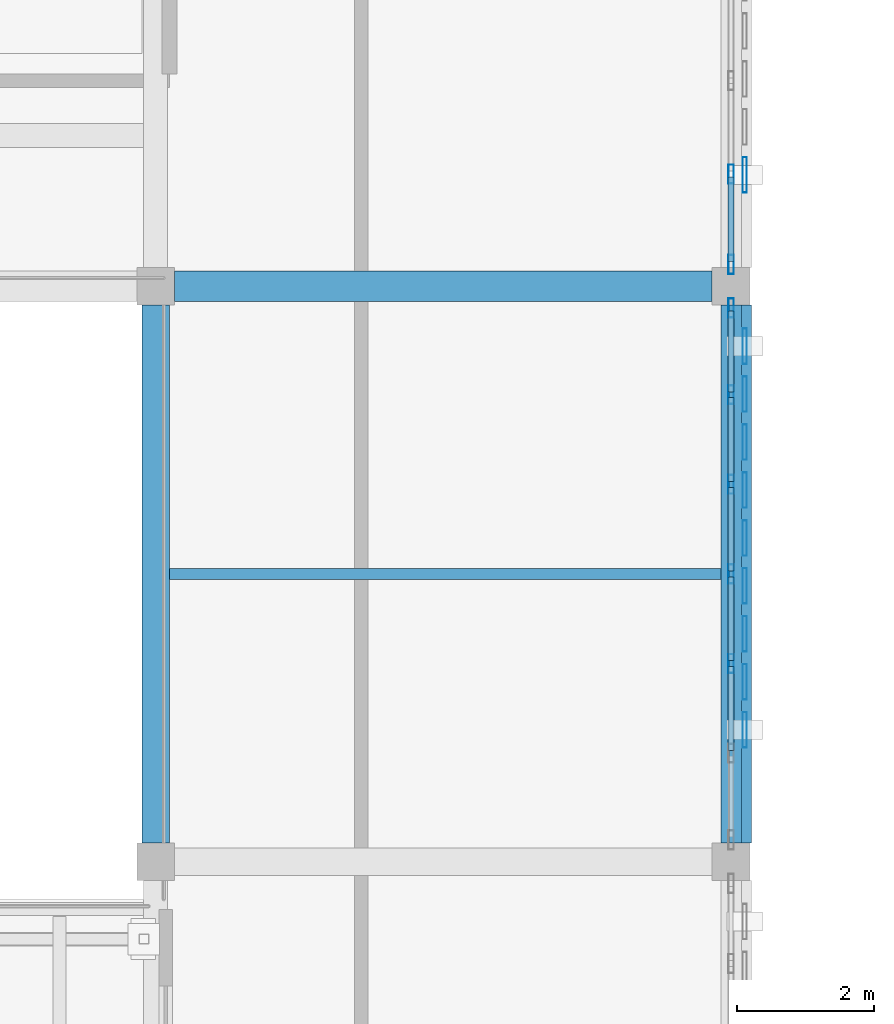
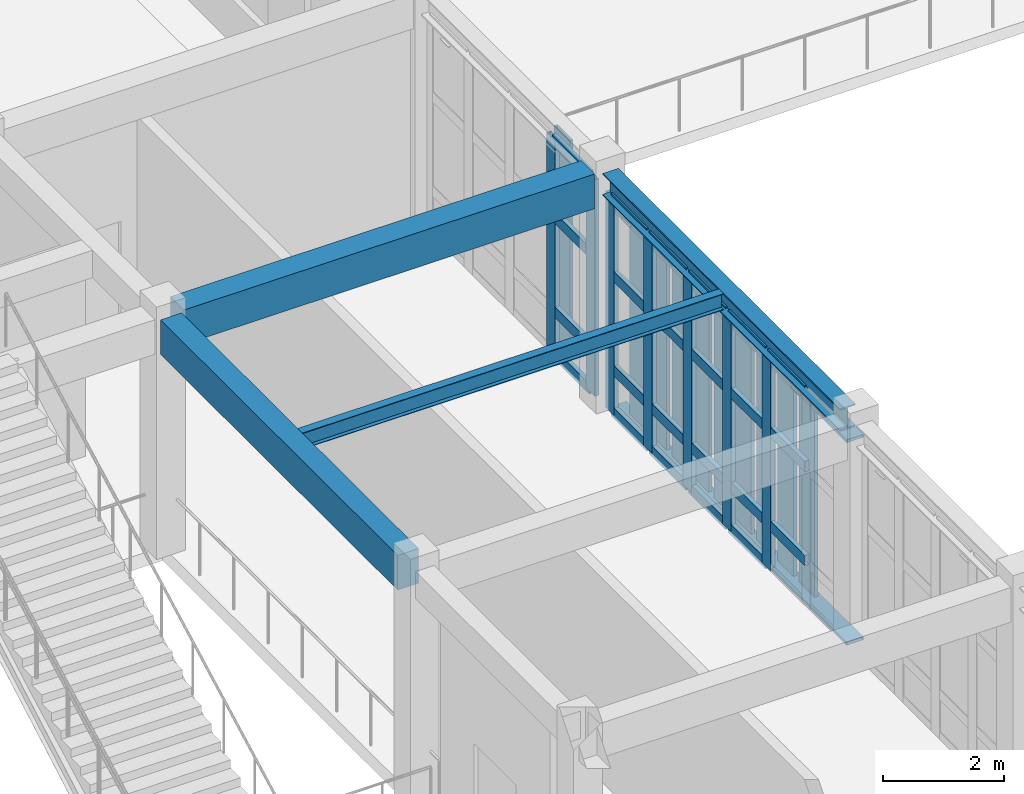
# One storey, part 36 of 93: 42 members, 4 beams, 2 elements without a shape of their own.
"""IFC4 building model written with IfcOpenShell, lengths in metres."""

from ifc_helpers import new_model, si_unit, direction, frame, origin, origin_2d, place, context, subcontext, project, spatial, rectangle, hollow_rectangle, i_section, extrude, material, layer, layer_set, material_profile, profile_set, type_object, element, aggregate, save


model = new_model("IFC4")

# Units and contexts
model_context = context("Model", 3, precision=1e-05, world=origin(), true_north=direction((0.0, 1.0)))
body_context = subcontext(model_context, "Body", "Model", "MODEL_VIEW")
ifc_project = project(units=[si_unit("LENGTHUNIT", "METRE"), si_unit("AREAUNIT", "SQUARE_METRE"), si_unit("VOLUMEUNIT", "CUBIC_METRE"), si_unit("PLANEANGLEUNIT", "RADIAN"), si_unit("MASSUNIT", "GRAM", prefix="KILO")], contexts=[model_context])

# Site, building, storey
site_placement = place(None, origin())
site = spatial("IfcSite", under=ifc_project, at=site_placement, CompositionType="ELEMENT")
building_placement = place(site_placement, origin())
building = spatial("IfcBuilding", under=site, at=building_placement, Name="Krzemoval Escarpment Law Courts", CompositionType="ELEMENT")
storey_placement = place(building_placement, frame((0.0, 0.0, 10.199951171875)))
storey = spatial("IfcBuildingStorey", under=building, at=storey_placement, Name="L02", CompositionType="ELEMENT", Elevation=10.199951171875)

# Beams
ifc_material_1 = material(Name="Concrete C40/50", Category="concrete")
ifc_material_profile_1 = material_profile(ifc_material_1, rectangle(XDim=0.39990234375, YDim=0.699951171875, at=origin_2d()), Name="RCB 400x700")
ifc_profile_set_1 = profile_set([ifc_material_profile_1], Name="Concrete C40/50")
beam_type_1 = type_object("IfcBeamType", Name="BM-RC-400x700", PredefinedType="BEAM", material=ifc_profile_set_1)
beam_1_placement = place(storey_placement, frame((33.60009765625, 85.47509765625, 4.469970703125), z_axis=(0.0, 1.0, 0.0), x_axis=(-1.0, 0.0, 0.0)))
element("IfcBeam", 1, at=beam_1_placement, inside=storey, type_object=beam_type_1, Name="Beam FG-L02-1901", PredefinedType="BEAM", context=body_context, shape_type="SweptSolid", body=[
    extrude(rectangle(XDim=0.39990234375, YDim=0.699951171875, at=origin_2d()), origin(), (0.0, 0.0, 1.0), 7.849853515625),
])
ifc_material_2 = material(Name="Concrete C40/50", Category="concrete")
ifc_material_profile_2 = material_profile(ifc_material_2, rectangle(XDim=0.449951171875, YDim=0.699951171875, at=origin_2d()), Name="RCB 450x700")
ifc_profile_set_2 = profile_set([ifc_material_profile_2], Name="Concrete C40/50")
beam_type_2 = type_object("IfcBeamType", Name="BM-RC-450x700", PredefinedType="BEAM", material=ifc_profile_set_2)
beam_2_placement = place(storey_placement, frame((33.875, 93.60009765625, 4.469970703125), z_axis=(1.0, 0.0, 0.0), x_axis=(0.0, 1.0, 0.0)))
element("IfcBeam", 2, at=beam_2_placement, inside=storey, type_object=beam_type_2, Name="Beam FG-L02-1811", PredefinedType="BEAM", context=body_context, shape_type="SweptSolid", body=[
    extrude(rectangle(XDim=0.449951171875, YDim=0.699951171875, at=origin_2d()), origin(), (0.0, 0.0, 1.0), 7.85009765625),
])

# Curtain wall, members
ifc_material_3 = material(Name="Aluminium 6063-T6", Category="aluminium")
ifc_layer = layer(ifc_material_3, 0.280029296875)
ifc_layer_set = layer_set([ifc_layer], Name="Aluminium 6063-T6")
curtain_wall_type = type_object("IfcCurtainWallType", Name="CW-HALL-5100", PredefinedType="USERDEFINED", material=ifc_layer_set)
curtain_wall_1_placement = place(storey_placement, origin())
curtain_wall_1 = element("IfcCurtainWall", 3, at=curtain_wall_1_placement, inside=storey, type_object=curtain_wall_type, Name="Unitised Curtain Wall FCW-L02-073", ObjectType="UNITISED_CURTAIN_WALL", PredefinedType="USERDEFINED")
ifc_material_4 = material(Name="Aluminium 6063-T6", Category="aluminium")
ifc_material_profile_3 = material_profile(ifc_material_4, hollow_rectangle(XDim=0.0849609375, YDim=0.280029296875, WallThickness=0.005615234375, at=origin_2d()), Name="ALU M85x280")
ifc_profile_set_3 = profile_set([ifc_material_profile_3], Name="Aluminium 6063-T6")
member_type_1 = type_object("IfcMemberType", Name="CWM-85x280", PredefinedType="MULLION", material=ifc_profile_set_3)
member_1_placement = place(storey_placement, frame((42.0, 95.237548828125, 0.0), z_axis=(0.0, 0.0, 1.0), x_axis=(1.0, 0.0, 0.0)))
member_1 = element("IfcMember", 4, at=member_1_placement, type_object=member_type_1, Name="FCW-L02-073 mullion 4", PredefinedType="MULLION", context=body_context, shape_type="SweptSolid", body=[
    extrude(hollow_rectangle(XDim=0.0849609375, YDim=0.280029296875, WallThickness=0.005615234375, at=origin_2d()), origin(), (0.0, 0.0, 1.0), 4.3701171875),
])
member_2_placement = place(storey_placement, frame((42.0, 93.91748046875, 0.0), z_axis=(0.0, 0.0, 1.0), x_axis=(1.0, 0.0, 0.0)))
member_2 = element("IfcMember", 5, at=member_2_placement, type_object=member_type_1, Name="FCW-L02-073 mullion 5", PredefinedType="MULLION", context=body_context, shape_type="SweptSolid", body=[
    extrude(hollow_rectangle(XDim=0.0849609375, YDim=0.280029296875, WallThickness=0.005615234375, at=origin_2d()), origin(), (0.0, 0.0, 1.0), 4.3701171875),
])

curtain_wall_2_placement = place(storey_placement, origin())
curtain_wall_2 = element("IfcCurtainWall", 6, at=curtain_wall_2_placement, inside=storey, type_object=curtain_wall_type, Name="Unitised Curtain Wall FCW-L02-074", ObjectType="UNITISED_CURTAIN_WALL", PredefinedType="USERDEFINED")
member_3_placement = place(storey_placement, frame((42.0, 93.282470703125, 0.0), z_axis=(0.0, 0.0, 1.0), x_axis=(1.0, 0.0, 0.0)))
member_3 = element("IfcMember", 7, at=member_3_placement, type_object=member_type_1, Name="FCW-L02-074 mullion 1", PredefinedType="MULLION", context=body_context, shape_type="SweptSolid", body=[
    extrude(hollow_rectangle(XDim=0.0849609375, YDim=0.280029296875, WallThickness=0.005615234375, at=origin_2d()), origin(), (0.0, 0.0, 1.0), 4.3701171875),
])
member_4_placement = place(storey_placement, frame((42.0, 92.0166015625, 0.0), z_axis=(0.0, 0.0, 1.0), x_axis=(1.0, 0.0, 0.0)))
member_4 = element("IfcMember", 8, at=member_4_placement, type_object=member_type_1, Name="FCW-L02-074 mullion 2", PredefinedType="MULLION", context=body_context, shape_type="SweptSolid", body=[
    extrude(hollow_rectangle(XDim=0.0849609375, YDim=0.280029296875, WallThickness=0.005615234375, at=origin_2d()), origin(), (0.0, 0.0, 1.0), 4.3701171875),
])
member_5_placement = place(storey_placement, frame((42.0, 90.708251953125, 0.0), z_axis=(0.0, 0.0, 1.0), x_axis=(1.0, 0.0, 0.0)))
member_5 = element("IfcMember", 9, at=member_5_placement, type_object=member_type_1, Name="FCW-L02-074 mullion 3", PredefinedType="MULLION", context=body_context, shape_type="SweptSolid", body=[
    extrude(hollow_rectangle(XDim=0.0849609375, YDim=0.280029296875, WallThickness=0.005615234375, at=origin_2d()), origin(), (0.0, 0.0, 1.0), 4.3701171875),
])
member_6_placement = place(storey_placement, frame((42.0, 89.39990234375, 0.0), z_axis=(0.0, 0.0, 1.0), x_axis=(1.0, 0.0, 0.0)))
member_6 = element("IfcMember", 10, at=member_6_placement, type_object=member_type_1, Name="FCW-L02-074 mullion 4", PredefinedType="MULLION", context=body_context, shape_type="SweptSolid", body=[
    extrude(hollow_rectangle(XDim=0.0849609375, YDim=0.280029296875, WallThickness=0.005615234375, at=origin_2d()), origin(), (0.0, 0.0, 1.0), 4.3701171875),
])
member_7_placement = place(storey_placement, frame((42.0, 88.091552734375, 0.0), z_axis=(0.0, 0.0, 1.0), x_axis=(1.0, 0.0, 0.0)))
member_7 = element("IfcMember", 11, at=member_7_placement, type_object=member_type_1, Name="FCW-L02-074 mullion 5", PredefinedType="MULLION", context=body_context, shape_type="SweptSolid", body=[
    extrude(hollow_rectangle(XDim=0.0849609375, YDim=0.280029296875, WallThickness=0.005615234375, at=origin_2d()), origin(), (0.0, 0.0, 1.0), 4.3701171875),
])

# Member
ifc_material_5 = material(Name="Aluminium 6063-T6", Category="aluminium")
ifc_material_profile_4 = material_profile(ifc_material_5, hollow_rectangle(XDim=0.0849609375, YDim=0.2099609375, WallThickness=0.005615234375, at=origin_2d()), Name="ALU T85x210")
ifc_profile_set_4 = profile_set([ifc_material_profile_4], Name="Aluminium 6063-T6")
member_type_2 = type_object("IfcMemberType", Name="CWT-85x210", PredefinedType="USERDEFINED", material=ifc_profile_set_4)
member_8_placement = place(storey_placement, frame((42.0, 95.195068359375, 0.04248046875), z_axis=(0.0, -1.0, 0.0), x_axis=(1.0, 0.0, 0.0)))
member_8 = element("IfcMember", 12, at=member_8_placement, type_object=member_type_2, Name="FCW-L02-073 transom 4.1", ObjectType="TRANSOM", PredefinedType="USERDEFINED", context=body_context, shape_type="SweptSolid", body=[
    extrude(hollow_rectangle(XDim=0.0849609375, YDim=0.2099609375, WallThickness=0.005615234375, at=origin_2d()), origin(), (0.0, 0.0, 1.0), 1.235107421875),
])

member_9_placement = place(storey_placement, frame((42.0, 95.195068359375, 0.900146484375), z_axis=(0.0, -1.0, 0.0), x_axis=(1.0, 0.0, 0.0)))
member_9 = element("IfcMember", 13, at=member_9_placement, type_object=member_type_2, Name="FCW-L02-073 transom 4.2", ObjectType="TRANSOM", PredefinedType="USERDEFINED", context=body_context, shape_type="SweptSolid", body=[
    extrude(hollow_rectangle(XDim=0.0849609375, YDim=0.2099609375, WallThickness=0.005615234375, at=origin_2d()), origin(), (0.0, 0.0, 1.0), 1.235107421875),
])

member_10_placement = place(storey_placement, frame((42.0, 95.195068359375, 2.800048828125), z_axis=(0.0, -1.0, 0.0), x_axis=(1.0, 0.0, 0.0)))
member_10 = element("IfcMember", 14, at=member_10_placement, type_object=member_type_2, Name="FCW-L02-073 transom 4.3", ObjectType="TRANSOM", PredefinedType="USERDEFINED", context=body_context, shape_type="SweptSolid", body=[
    extrude(hollow_rectangle(XDim=0.0849609375, YDim=0.2099609375, WallThickness=0.005615234375, at=origin_2d()), origin(), (0.0, 0.0, 1.0), 1.235107421875),
])

member_11_placement = place(storey_placement, frame((42.0, 95.195068359375, 4.32763671875), z_axis=(0.0, -1.0, 0.0), x_axis=(1.0, 0.0, 0.0)))
member_11 = element("IfcMember", 15, at=member_11_placement, type_object=member_type_2, Name="FCW-L02-073 transom 4.4", ObjectType="TRANSOM", PredefinedType="USERDEFINED", context=body_context, shape_type="SweptSolid", body=[
    extrude(hollow_rectangle(XDim=0.0849609375, YDim=0.2099609375, WallThickness=0.005615234375, at=origin_2d()), origin(), (0.0, 0.0, 1.0), 1.235107421875),
])

aggregate(curtain_wall_1, [member_1, member_2, member_8, member_9, member_10, member_11])

member_12_placement = place(storey_placement, frame((42.0, 93.239990234375, 0.04248046875), z_axis=(0.0, -1.0, 0.0), x_axis=(1.0, 0.0, 0.0)))
member_12 = element("IfcMember", 16, at=member_12_placement, type_object=member_type_2, Name="FCW-L02-074 transom 1.1", ObjectType="TRANSOM", PredefinedType="USERDEFINED", context=body_context, shape_type="SweptSolid", body=[
    extrude(hollow_rectangle(XDim=0.0849609375, YDim=0.2099609375, WallThickness=0.005615234375, at=origin_2d()), origin(), (0.0, 0.0, 1.0), 1.180908203125),
])

member_13_placement = place(storey_placement, frame((42.0, 93.239990234375, 0.900146484375), z_axis=(0.0, -1.0, 0.0), x_axis=(1.0, 0.0, 0.0)))
member_13 = element("IfcMember", 17, at=member_13_placement, type_object=member_type_2, Name="FCW-L02-074 transom 1.2", ObjectType="TRANSOM", PredefinedType="USERDEFINED", context=body_context, shape_type="SweptSolid", body=[
    extrude(hollow_rectangle(XDim=0.0849609375, YDim=0.2099609375, WallThickness=0.005615234375, at=origin_2d()), origin(), (0.0, 0.0, 1.0), 1.180908203125),
])

member_14_placement = place(storey_placement, frame((42.0, 93.239990234375, 2.800048828125), z_axis=(0.0, -1.0, 0.0), x_axis=(1.0, 0.0, 0.0)))
member_14 = element("IfcMember", 18, at=member_14_placement, type_object=member_type_2, Name="FCW-L02-074 transom 1.3", ObjectType="TRANSOM", PredefinedType="USERDEFINED", context=body_context, shape_type="SweptSolid", body=[
    extrude(hollow_rectangle(XDim=0.0849609375, YDim=0.2099609375, WallThickness=0.005615234375, at=origin_2d()), origin(), (0.0, 0.0, 1.0), 1.180908203125),
])

member_15_placement = place(storey_placement, frame((42.0, 93.239990234375, 4.32763671875), z_axis=(0.0, -1.0, 0.0), x_axis=(1.0, 0.0, 0.0)))
member_15 = element("IfcMember", 19, at=member_15_placement, type_object=member_type_2, Name="FCW-L02-074 transom 1.4", ObjectType="TRANSOM", PredefinedType="USERDEFINED", context=body_context, shape_type="SweptSolid", body=[
    extrude(hollow_rectangle(XDim=0.0849609375, YDim=0.2099609375, WallThickness=0.005615234375, at=origin_2d()), origin(), (0.0, 0.0, 1.0), 1.180908203125),
])

member_16_placement = place(storey_placement, frame((42.0, 91.97412109375, 0.04248046875), z_axis=(0.0, -1.0, 0.0), x_axis=(1.0, 0.0, 0.0)))
member_16 = element("IfcMember", 20, at=member_16_placement, type_object=member_type_2, Name="FCW-L02-074 transom 2.1", ObjectType="TRANSOM", PredefinedType="USERDEFINED", context=body_context, shape_type="SweptSolid", body=[
    extrude(hollow_rectangle(XDim=0.0849609375, YDim=0.2099609375, WallThickness=0.005615234375, at=origin_2d()), origin(), (0.0, 0.0, 1.0), 1.223388671875),
])

member_17_placement = place(storey_placement, frame((42.0, 91.97412109375, 0.900146484375), z_axis=(0.0, -1.0, 0.0), x_axis=(1.0, 0.0, 0.0)))
member_17 = element("IfcMember", 21, at=member_17_placement, type_object=member_type_2, Name="FCW-L02-074 transom 2.2", ObjectType="TRANSOM", PredefinedType="USERDEFINED", context=body_context, shape_type="SweptSolid", body=[
    extrude(hollow_rectangle(XDim=0.0849609375, YDim=0.2099609375, WallThickness=0.005615234375, at=origin_2d()), origin(), (0.0, 0.0, 1.0), 1.223388671875),
])

member_18_placement = place(storey_placement, frame((42.0, 91.97412109375, 2.800048828125), z_axis=(0.0, -1.0, 0.0), x_axis=(1.0, 0.0, 0.0)))
member_18 = element("IfcMember", 22, at=member_18_placement, type_object=member_type_2, Name="FCW-L02-074 transom 2.3", ObjectType="TRANSOM", PredefinedType="USERDEFINED", context=body_context, shape_type="SweptSolid", body=[
    extrude(hollow_rectangle(XDim=0.0849609375, YDim=0.2099609375, WallThickness=0.005615234375, at=origin_2d()), origin(), (0.0, 0.0, 1.0), 1.223388671875),
])

member_19_placement = place(storey_placement, frame((42.0, 91.97412109375, 4.32763671875), z_axis=(0.0, -1.0, 0.0), x_axis=(1.0, 0.0, 0.0)))
member_19 = element("IfcMember", 23, at=member_19_placement, type_object=member_type_2, Name="FCW-L02-074 transom 2.4", ObjectType="TRANSOM", PredefinedType="USERDEFINED", context=body_context, shape_type="SweptSolid", body=[
    extrude(hollow_rectangle(XDim=0.0849609375, YDim=0.2099609375, WallThickness=0.005615234375, at=origin_2d()), origin(), (0.0, 0.0, 1.0), 1.223388671875),
])

member_20_placement = place(storey_placement, frame((42.0, 90.665771484375, 0.04248046875), z_axis=(0.0, -1.0, 0.0), x_axis=(1.0, 0.0, 0.0)))
member_20 = element("IfcMember", 24, at=member_20_placement, type_object=member_type_2, Name="FCW-L02-074 transom 3.1", ObjectType="TRANSOM", PredefinedType="USERDEFINED", context=body_context, shape_type="SweptSolid", body=[
    extrude(hollow_rectangle(XDim=0.0849609375, YDim=0.2099609375, WallThickness=0.005615234375, at=origin_2d()), origin(), (0.0, 0.0, 1.0), 1.223388671875),
])

member_21_placement = place(storey_placement, frame((42.0, 90.665771484375, 0.900146484375), z_axis=(0.0, -1.0, 0.0), x_axis=(1.0, 0.0, 0.0)))
member_21 = element("IfcMember", 25, at=member_21_placement, type_object=member_type_2, Name="FCW-L02-074 transom 3.2", ObjectType="TRANSOM", PredefinedType="USERDEFINED", context=body_context, shape_type="SweptSolid", body=[
    extrude(hollow_rectangle(XDim=0.0849609375, YDim=0.2099609375, WallThickness=0.005615234375, at=origin_2d()), origin(), (0.0, 0.0, 1.0), 1.223388671875),
])

member_22_placement = place(storey_placement, frame((42.0, 90.665771484375, 2.800048828125), z_axis=(0.0, -1.0, 0.0), x_axis=(1.0, 0.0, 0.0)))
member_22 = element("IfcMember", 26, at=member_22_placement, type_object=member_type_2, Name="FCW-L02-074 transom 3.3", ObjectType="TRANSOM", PredefinedType="USERDEFINED", context=body_context, shape_type="SweptSolid", body=[
    extrude(hollow_rectangle(XDim=0.0849609375, YDim=0.2099609375, WallThickness=0.005615234375, at=origin_2d()), origin(), (0.0, 0.0, 1.0), 1.223388671875),
])

member_23_placement = place(storey_placement, frame((42.0, 90.665771484375, 4.32763671875), z_axis=(0.0, -1.0, 0.0), x_axis=(1.0, 0.0, 0.0)))
member_23 = element("IfcMember", 27, at=member_23_placement, type_object=member_type_2, Name="FCW-L02-074 transom 3.4", ObjectType="TRANSOM", PredefinedType="USERDEFINED", context=body_context, shape_type="SweptSolid", body=[
    extrude(hollow_rectangle(XDim=0.0849609375, YDim=0.2099609375, WallThickness=0.005615234375, at=origin_2d()), origin(), (0.0, 0.0, 1.0), 1.223388671875),
])

member_24_placement = place(storey_placement, frame((42.0, 89.357421875, 0.04248046875), z_axis=(0.0, -1.0, 0.0), x_axis=(1.0, 0.0, 0.0)))
member_24 = element("IfcMember", 28, at=member_24_placement, type_object=member_type_2, Name="FCW-L02-074 transom 4.1", ObjectType="TRANSOM", PredefinedType="USERDEFINED", context=body_context, shape_type="SweptSolid", body=[
    extrude(hollow_rectangle(XDim=0.0849609375, YDim=0.2099609375, WallThickness=0.005615234375, at=origin_2d()), origin(), (0.0, 0.0, 1.0), 1.22314453125),
])

member_25_placement = place(storey_placement, frame((42.0, 89.357421875, 0.900146484375), z_axis=(0.0, -1.0, 0.0), x_axis=(1.0, 0.0, 0.0)))
member_25 = element("IfcMember", 29, at=member_25_placement, type_object=member_type_2, Name="FCW-L02-074 transom 4.2", ObjectType="TRANSOM", PredefinedType="USERDEFINED", context=body_context, shape_type="SweptSolid", body=[
    extrude(hollow_rectangle(XDim=0.0849609375, YDim=0.2099609375, WallThickness=0.005615234375, at=origin_2d()), origin(), (0.0, 0.0, 1.0), 1.22314453125),
])

member_26_placement = place(storey_placement, frame((42.0, 89.357421875, 2.800048828125), z_axis=(0.0, -1.0, 0.0), x_axis=(1.0, 0.0, 0.0)))
member_26 = element("IfcMember", 30, at=member_26_placement, type_object=member_type_2, Name="FCW-L02-074 transom 4.3", ObjectType="TRANSOM", PredefinedType="USERDEFINED", context=body_context, shape_type="SweptSolid", body=[
    extrude(hollow_rectangle(XDim=0.0849609375, YDim=0.2099609375, WallThickness=0.005615234375, at=origin_2d()), origin(), (0.0, 0.0, 1.0), 1.22314453125),
])

member_27_placement = place(storey_placement, frame((42.0, 89.357421875, 4.32763671875), z_axis=(0.0, -1.0, 0.0), x_axis=(1.0, 0.0, 0.0)))
member_27 = element("IfcMember", 31, at=member_27_placement, type_object=member_type_2, Name="FCW-L02-074 transom 4.4", ObjectType="TRANSOM", PredefinedType="USERDEFINED", context=body_context, shape_type="SweptSolid", body=[
    extrude(hollow_rectangle(XDim=0.0849609375, YDim=0.2099609375, WallThickness=0.005615234375, at=origin_2d()), origin(), (0.0, 0.0, 1.0), 1.22314453125),
])

member_28_placement = place(storey_placement, frame((42.0, 88.049072265625, 0.900146484375), z_axis=(0.0, -1.0, 0.0), x_axis=(1.0, 0.0, 0.0)))
member_28 = element("IfcMember", 32, at=member_28_placement, type_object=member_type_2, Name="FCW-L02-074 transom 5.2", ObjectType="TRANSOM", PredefinedType="USERDEFINED", context=body_context, shape_type="SweptSolid", body=[
    extrude(hollow_rectangle(XDim=0.0849609375, YDim=0.2099609375, WallThickness=0.005615234375, at=origin_2d()), origin(), (0.0, 0.0, 1.0), 1.22314453125),
])

member_29_placement = place(storey_placement, frame((42.0, 88.049072265625, 2.800048828125), z_axis=(0.0, -1.0, 0.0), x_axis=(1.0, 0.0, 0.0)))
member_29 = element("IfcMember", 33, at=member_29_placement, type_object=member_type_2, Name="FCW-L02-074 transom 5.3", ObjectType="TRANSOM", PredefinedType="USERDEFINED", context=body_context, shape_type="SweptSolid", body=[
    extrude(hollow_rectangle(XDim=0.0849609375, YDim=0.2099609375, WallThickness=0.005615234375, at=origin_2d()), origin(), (0.0, 0.0, 1.0), 1.22314453125),
])

member_30_placement = place(storey_placement, frame((42.0, 88.049072265625, 4.32763671875), z_axis=(0.0, -1.0, 0.0), x_axis=(1.0, 0.0, 0.0)))
member_30 = element("IfcMember", 34, at=member_30_placement, type_object=member_type_2, Name="FCW-L02-074 transom 5.4", ObjectType="TRANSOM", PredefinedType="USERDEFINED", context=body_context, shape_type="SweptSolid", body=[
    extrude(hollow_rectangle(XDim=0.0849609375, YDim=0.2099609375, WallThickness=0.005615234375, at=origin_2d()), origin(), (0.0, 0.0, 1.0), 1.22314453125),
])

aggregate(curtain_wall_2, [member_3, member_4, member_5, member_6, member_7, member_12, member_13, member_14, member_15, member_16, member_17, member_18, member_19, member_20, member_21, member_22, member_23, member_24, member_25, member_26, member_27, member_28, member_29, member_30])

# Beam
ifc_material_6 = material(Name="Steel S355", Category="steel")
ifc_material_profile_5 = material_profile(ifc_material_6, i_section(OverallWidth=0.159912109375, OverallDepth=0.330078125, WebThickness=0.007568359375, FlangeThickness=0.011474609375, at=origin_2d()), Name="IPE 330")
ifc_profile_set_5 = profile_set([ifc_material_profile_5], Name="Steel S355")
beam_type_3 = type_object("IfcBeamType", Name="JST-S355-IPE330", PredefinedType="JOIST", material=ifc_profile_set_5)
beam_3_placement = place(storey_placement, frame((33.800048828125, 89.39990234375, 4.655029296875), z_axis=(1.0, 0.0, 0.0), x_axis=(0.0, 1.0, 0.0)))
element("IfcBeam", 35, at=beam_3_placement, inside=storey, type_object=beam_type_3, Name="Secondary Joist FJ-L02-2029", PredefinedType="JOIST", context=body_context, shape_type="SweptSolid", body=[
    extrude(i_section(OverallWidth=0.159912109375, OverallDepth=0.330078125, WebThickness=0.007568359375, FlangeThickness=0.011474609375, at=origin_2d()), origin(), (0.0, 0.0, 1.0), 8.050048828125),
])

# Members
ifc_material_7 = material(Name="Anodised Aluminium Alloy 6063-T6", Category="aluminium")
ifc_material_profile_6 = material_profile(ifc_material_7, hollow_rectangle(XDim=0.06005859375, YDim=0.320068359375, WallThickness=0.00390625, at=origin_2d()), Name="ALU LVR 60x320")
ifc_profile_set_6 = profile_set([ifc_material_profile_6], Name="Anodised Aluminium Alloy 6063-T6")
member_type_3 = type_object("IfcMemberType", Name="LVR-ALU-320", PredefinedType="USERDEFINED", material=ifc_profile_set_6)
for number, where, z_axis, x_axis, name in (
    (36, (42.139892578125, 93.324951171875, 0.030029296875), (0.0, -1.0, 0.0), (0.0, 0.0, 1.0), "Sunshade Support Rail FSR-L02-0460"),
    (37, (42.139892578125, 93.324951171875, 4.1201171875), (0.0, -1.0, 0.0), (0.0, 0.0, 1.0), "Sunshade Support Rail FSR-L02-0461"),
):
    element("IfcMember", number, at=place(storey_placement, frame(where, z_axis=z_axis, x_axis=x_axis)), inside=storey, type_object=member_type_3, Name=name, ObjectType="SUNSHADE_LOUVRE", PredefinedType="USERDEFINED", context=body_context, shape_type="SweptSolid", body=[
        extrude(hollow_rectangle(XDim=0.06005859375, YDim=0.320068359375, WallThickness=0.00390625, at=origin_2d()), origin(), (0.0, 0.0, 1.0), 7.849853515625),
    ])
ifc_material_8 = material(Name="Anodised Aluminium Alloy 6063-T6", Category="aluminium")
ifc_material_profile_7 = material_profile(ifc_material_8, hollow_rectangle(XDim=0.06494140625, YDim=0.52001953125, WallThickness=0.00439453125, at=origin_2d()), Name="ALU LVR 65x520")
ifc_profile_set_7 = profile_set([ifc_material_profile_7], Name="Anodised Aluminium Alloy 6063-T6")
member_type_4 = type_object("IfcMemberType", Name="LVR-ALU-520", PredefinedType="USERDEFINED", material=ifc_profile_set_7)
for number, where, z_axis, x_axis, name in (
    (38, (42.199951171875, 95.22509765625, 0.06005859375), (0.0, 0.0, 1.0), (1.0, 0.0, 0.0), "Sunshade Louvre Fin FLV-L02-0459"),
    (39, (42.199951171875, 92.72509765625, 0.06005859375), (0.0, 0.0, 1.0), (1.0, 0.0, 0.0), "Sunshade Louvre Fin FLV-L02-0462"),
    (40, (42.199951171875, 92.02490234375, 0.06005859375), (0.0, 0.0, 1.0), (1.0, 0.0, 0.0), "Sunshade Louvre Fin FLV-L02-0463"),
    (41, (42.199951171875, 91.324951171875, 0.06005859375), (0.0, 0.0, 1.0), (1.0, 0.0, 0.0), "Sunshade Louvre Fin FLV-L02-0464"),
    (42, (42.199951171875, 90.625, 0.06005859375), (0.0, 0.0, 1.0), (1.0, 0.0, 0.0), "Sunshade Louvre Fin FLV-L02-0465"),
    (43, (42.199951171875, 89.925048828125, 0.06005859375), (0.0, 0.0, 1.0), (1.0, 0.0, 0.0), "Sunshade Louvre Fin FLV-L02-0466"),
    (44, (42.199951171875, 89.22509765625, 0.06005859375), (0.0, 0.0, 1.0), (1.0, 0.0, 0.0), "Sunshade Louvre Fin FLV-L02-0467"),
    (45, (42.199951171875, 88.52490234375, 0.06005859375), (0.0, 0.0, 1.0), (1.0, 0.0, 0.0), "Sunshade Louvre Fin FLV-L02-0468"),
    (46, (42.199951171875, 87.824951171875, 0.06005859375), (0.0, 0.0, 1.0), (1.0, 0.0, 0.0), "Sunshade Louvre Fin FLV-L02-0469"),
    (47, (42.199951171875, 87.125, 0.06005859375), (0.0, 0.0, 1.0), (1.0, 0.0, 0.0), "Sunshade Louvre Fin FLV-L02-0470"),
):
    element("IfcMember", number, at=place(storey_placement, frame(where, z_axis=z_axis, x_axis=x_axis)), inside=storey, type_object=member_type_4, Name=name, ObjectType="SUNSHADE_LOUVRE", PredefinedType="USERDEFINED", context=body_context, shape_type="SweptSolid", body=[
        extrude(hollow_rectangle(XDim=0.06494140625, YDim=0.52001953125, WallThickness=0.00439453125, at=origin_2d()), origin(), (0.0, 0.0, 1.0), 4.31005859375),
    ])

# Beam
ifc_material_9 = material(Name="Steel S355", Category="steel")
ifc_material_profile_8 = material_profile(ifc_material_9, i_section(OverallWidth=0.300048828125, OverallDepth=0.449951171875, WebThickness=0.013916015625, FlangeThickness=0.02587890625, at=origin_2d()), Name="HEB 450")
ifc_profile_set_8 = profile_set([ifc_material_profile_8], Name="Steel S355")
beam_type_4 = type_object("IfcBeamType", Name="SPN-S355-HEB450", PredefinedType="SPANDREL", material=ifc_profile_set_8)
beam_4_placement = place(storey_placement, frame((42.0, 85.47509765625, 4.594970703125), z_axis=(0.0, 1.0, 0.0), x_axis=(-1.0, 0.0, 0.0)))
element("IfcBeam", 48, at=beam_4_placement, inside=storey, type_object=beam_type_4, Name="Beam FG-L02-1916", PredefinedType="SPANDREL", context=body_context, shape_type="SweptSolid", body=[
    extrude(i_section(OverallWidth=0.300048828125, OverallDepth=0.449951171875, WebThickness=0.013916015625, FlangeThickness=0.02587890625, at=origin_2d()), origin(), (0.0, 0.0, 1.0), 7.849853515625),
])

save(model, "model.ifc")
